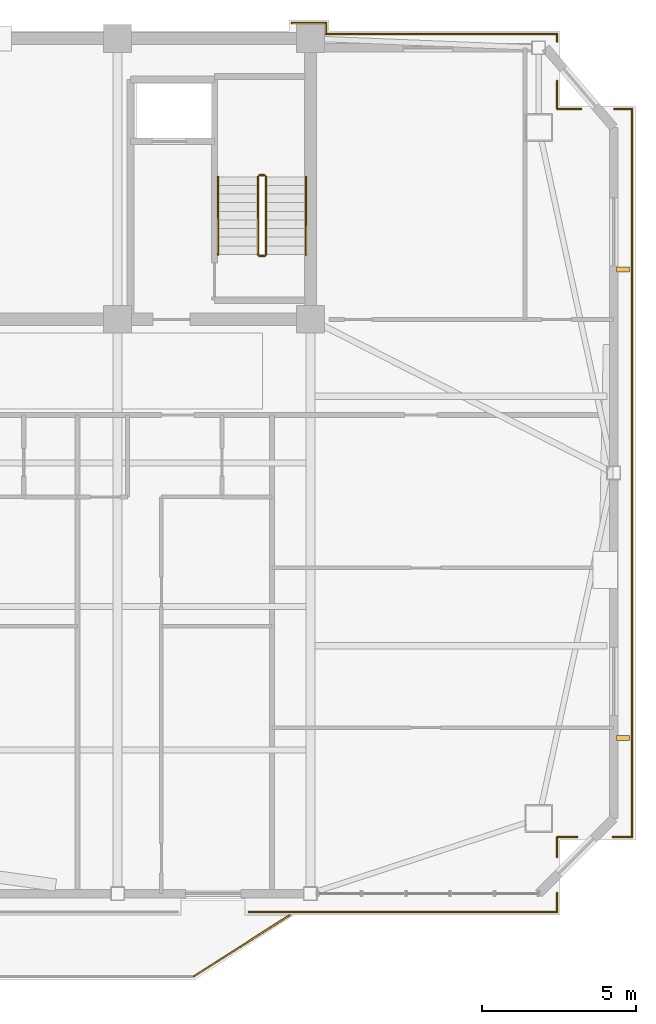
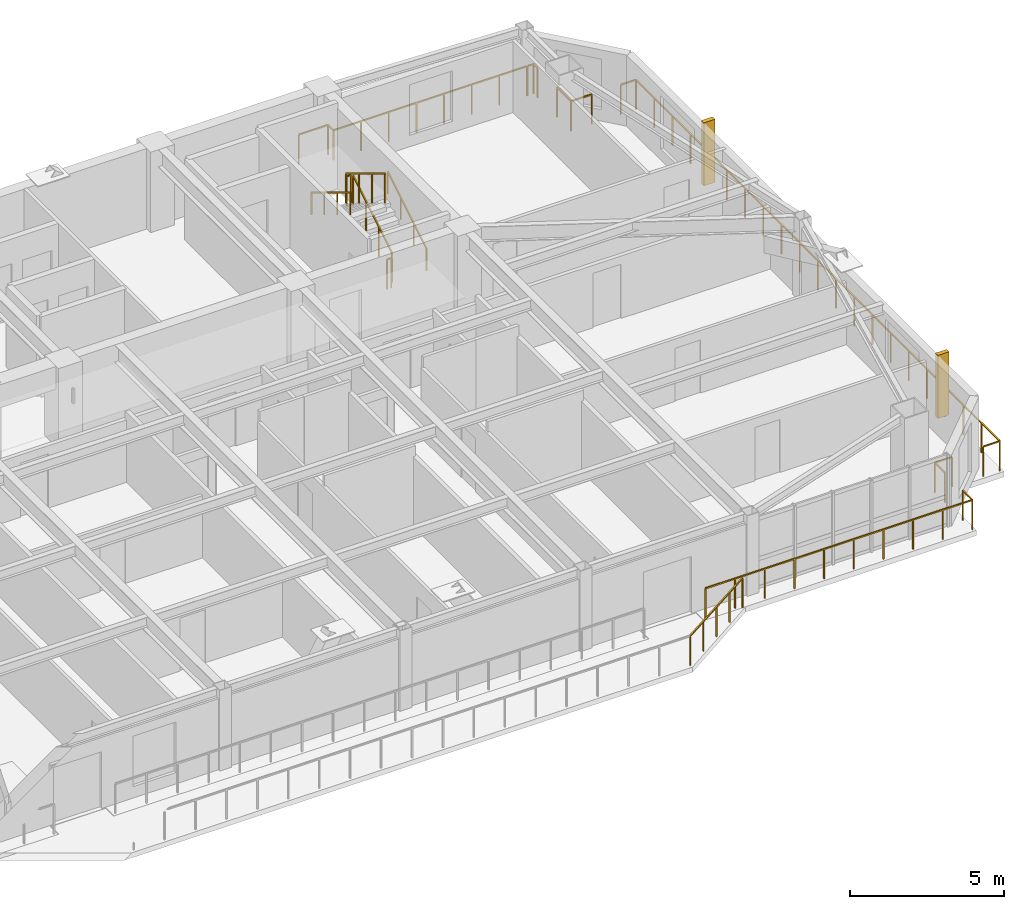
# One storey, part 15 of 15: 21 railings, 2 shading devices.
"""IFC4 building model written with IfcOpenShell, lengths in metres."""

import ifcopenshell
import ifcopenshell.guid

model = None  # the IFC model being written
_history = None  # IfcOwnerHistory: only IFC2X3 demands one
_inside = {}  # id of a spatial element -> (the spatial element, [elements in it])
_under = {}  # id of a project, library or spatial element -> (it, [spatial elements below it])
_declared = {}  # id of a project -> (the project, [libraries it declares])
_typed = {}  # id of a type object -> (the type object, [elements of that type])
_made_of = {}  # id of a material, layer set ... -> (it, [elements and type objects made of it])


def new_model(schema):
    """Start an empty IFC model of exactly this schema.

    Asked for "IFC4X3", IfcOpenShell would pick the latest addendum, in which some entities
    have other attributes; the version numbers below select the first issue.
    IFC2X3 requires an IfcOwnerHistory on every rooted entity: one is made here for all.
    """
    global model, _history
    if schema == "IFC4X3":
        model = ifcopenshell.file(schema_version=(4, 3, 0, 0))
    else:
        model = ifcopenshell.file(schema=schema)
    _inside.clear()
    _under.clear()
    _declared.clear()
    _typed.clear()
    _made_of.clear()
    _history = None
    if model.schema == "IFC2X3":
        org = make("IfcOrganization", Name="unknown")
        user = make(
            "IfcPersonAndOrganization",
            ThePerson=make("IfcPerson", FamilyName="unknown"),
            TheOrganization=org,
        )
        app = make(
            "IfcApplication",
            ApplicationDeveloper=org,
            Version="unknown",
            ApplicationFullName="unknown",
            ApplicationIdentifier="unknown",
        )
        _history = make(
            "IfcOwnerHistory",
            OwningUser=user,
            OwningApplication=app,
            ChangeAction="ADDED",
            CreationDate=0,
        )
    return model


def make(cls, **values):
    """One entity of the class cls with the attributes given. An attribute that is None is left unset."""
    return model.create_entity(
        cls, **{name: value for name, value in values.items() if value is not None}
    )


def rooted(cls, **values):
    """An entity with a GlobalId (a new one), such as an element, a storey or a relation."""
    return make(cls, GlobalId=ifcopenshell.guid.new(), OwnerHistory=_history, **values)


def si_unit(unit_type, name, prefix=None):
    """IfcSIUnit, for example si_unit("LENGTHUNIT", "METRE", prefix="MILLI")."""
    return make("IfcSIUnit", UnitType=unit_type, Prefix=prefix, Name=name)


def assignment(units):
    """IfcUnitAssignment: the units of a project."""
    return None if units is None else make("IfcUnitAssignment", Units=units)


def point(xyz):
    """IfcCartesianPoint."""
    return None if xyz is None else make("IfcCartesianPoint", Coordinates=xyz)


def direction(xyz):
    """IfcDirection."""
    return None if xyz is None else make("IfcDirection", DirectionRatios=xyz)


def frame(location, z_axis=None, x_axis=None):
    """IfcAxis2Placement3D, a coordinate frame: its origin and axes. An axis left out is left unset."""
    return make(
        "IfcAxis2Placement3D",
        Location=point(location),
        Axis=direction(z_axis),
        RefDirection=direction(x_axis),
    )


def frame_2d(location, x_axis=None):
    """IfcAxis2Placement2D, a coordinate frame in the plane: its origin and x axis."""
    return make(
        "IfcAxis2Placement2D", Location=point(location), RefDirection=direction(x_axis)
    )


def origin():
    """The frame at (0, 0, 0) with its axes left unset."""
    return frame((0.0, 0.0, 0.0))


def origin_2d():
    """The frame at (0, 0) in the plane with its x axis left unset."""
    return frame_2d((0.0, 0.0))


def place(relative_to, where):
    """IfcLocalPlacement: puts the frame where relative to a parent placement (None: the world)."""
    return make(
        "IfcLocalPlacement", PlacementRelTo=relative_to, RelativePlacement=where
    )


def context(
    kind, dimensions, precision=None, world=None, true_north=None, identifier=None
):
    """IfcGeometricRepresentationContext, for example the 3D "Model" context."""
    return make(
        "IfcGeometricRepresentationContext",
        ContextIdentifier=identifier,
        ContextType=kind,
        CoordinateSpaceDimension=dimensions,
        Precision=precision,
        WorldCoordinateSystem=world,
        TrueNorth=true_north,
    )


def subcontext(parent, identifier, kind, view, scale=None):
    """IfcGeometricRepresentationSubContext, for example "Body" below "Model"."""
    return make(
        "IfcGeometricRepresentationSubContext",
        ContextIdentifier=identifier,
        ContextType=kind,
        ParentContext=parent,
        TargetScale=scale,
        TargetView=view,
    )


def project(units=None, contexts=None):
    """IfcProject with its units and contexts."""
    return rooted(
        "IfcProject",
        Name="project",
        RepresentationContexts=contexts,
        UnitsInContext=assignment(units),
    )


def spatial(cls, under=None, at=None, **own):
    """A site, building, storey or space (cls), placed at a placement, below another one or the project."""
    s = rooted(cls, ObjectPlacement=at, **own)
    if under is not None:
        _under.setdefault(under.id(), (under, []))[1].append(s)
    return s


def profile(cls, at=None, kind="AREA", **sizes):
    """A parametric profile (cls). Its sizes go by their IFC names, for example OverallWidth=200.0."""
    return make(cls, ProfileType=kind, Position=at, **sizes)


def rectangle(**sizes):
    """IfcRectangleProfileDef."""
    return profile("IfcRectangleProfileDef", **sizes)


def extrude(swept, where, along, depth):
    """IfcExtrudedAreaSolid: the profile swept, set in the frame where, extruded along a direction by depth."""
    return make(
        "IfcExtrudedAreaSolid",
        SweptArea=swept,
        Position=where,
        ExtrudedDirection=direction(along),
        Depth=depth,
    )


def shape(context_of_items, identifier, shape_type, items):
    """IfcShapeRepresentation: the items that make up one representation, for example the "Body"."""
    return make(
        "IfcShapeRepresentation",
        ContextOfItems=context_of_items,
        RepresentationIdentifier=identifier,
        RepresentationType=shape_type,
        Items=items,
    )


def source(mapping_origin, context_of_items, identifier, shape_type, items):
    """IfcRepresentationMap: a shape defined once, which mapped items show again and again."""
    return make(
        "IfcRepresentationMap",
        MappingOrigin=mapping_origin,
        MappedRepresentation=shape(context_of_items, identifier, shape_type, items),
    )


def transform(
    local_origin,
    x_axis=None,
    y_axis=None,
    z_axis=None,
    scale=None,
    scale2=None,
    scale3=None,
    uniform=True,
):
    """IfcCartesianTransformationOperator3D, or its non-uniform kind. x_axis, y_axis, z_axis: its Axis1, 2, 3."""
    if uniform:
        return make(
            "IfcCartesianTransformationOperator3D",
            Axis1=direction(x_axis),
            Axis2=direction(y_axis),
            LocalOrigin=point(local_origin),
            Scale=scale,
            Axis3=direction(z_axis),
        )
    return make(
        "IfcCartesianTransformationOperator3DnonUniform",
        Axis1=direction(x_axis),
        Axis2=direction(y_axis),
        LocalOrigin=point(local_origin),
        Scale=scale,
        Axis3=direction(z_axis),
        Scale2=scale2,
        Scale3=scale3,
    )


def mapped(mapping_source, mapping_target):
    """IfcMappedItem: shows the shape of a source again, moved by a transform."""
    return make(
        "IfcMappedItem", MappingSource=mapping_source, MappingTarget=mapping_target
    )


def material(Name=None, Category=None):
    """IfcMaterial."""
    return make("IfcMaterial", Name=Name, Category=Category)


def made_of(thing, what):
    """Note that an element or type object is made of a material, layer set ...; save() writes the relation."""
    if what is not None:
        _made_of.setdefault(what.id(), (what, []))[1].append(thing)
    return thing


def type_object(cls, material=None, **own):
    """A type object (cls), such as IfcWallType, which elements share."""
    return made_of(rooted(cls, **own), material)


def element(
    cls,
    number,
    at=None,
    inside=None,
    cuts=None,
    type_object=None,
    material=None,
    context=None,
    identifier="Body",
    shape_type=None,
    held_by="IfcProductDefinitionShape",
    body=None,
    shapes=None,
    **own,
):
    """One element of the class cls, such as IfcWall. Its Tag is "e" and its number.

    at: its placement. inside: the storey or other place that contains it. cuts: it is an
    opening in that element (IfcRelVoidsElement). A single representation is given by context,
    identifier, shape_type and body (its items); several are given by shapes. held_by: the class
    of the entity that holds the representations. save() writes the other relations.
    """
    e = rooted(cls, Tag="e%d" % number, ObjectPlacement=at, **own)
    if body is not None:
        shapes = [shape(context, identifier, shape_type, body)]
    if shapes is not None:
        e.Representation = make(held_by, Representations=shapes)
    if inside is not None:
        _inside.setdefault(inside.id(), (inside, []))[1].append(e)
    if cuts is not None:
        rooted(
            "IfcRelVoidsElement", RelatingBuildingElement=cuts, RelatedOpeningElement=e
        )
    if type_object is not None:
        _typed.setdefault(type_object.id(), (type_object, []))[1].append(e)
    return made_of(e, material)


def aggregate(whole, parts):
    """IfcRelAggregates: a whole, such as a stair, and the parts it consists of."""
    return rooted("IfcRelAggregates", RelatingObject=whole, RelatedObjects=parts)


def save(model, path):
    """Write the relations noted so far, then the file.

    IfcRelAggregates (storeys below a building ...), IfcRelContainedInSpatialStructure (elements
    in a storey), IfcRelDefinesByType, IfcRelAssociatesMaterial and IfcRelDeclares: one each for
    every whole, place, type object, material and project.
    """
    for whole, parts in _under.values():
        aggregate(whole, parts)
    for where, things in _inside.values():
        rooted(
            "IfcRelContainedInSpatialStructure",
            RelatedElements=things,
            RelatingStructure=where,
        )
    for kind, things in _typed.values():
        rooted("IfcRelDefinesByType", RelatedObjects=things, RelatingType=kind)
    for what, things in _made_of.values():
        rooted("IfcRelAssociatesMaterial", RelatedObjects=things, RelatingMaterial=what)
    for by, libraries in _declared.values():
        rooted("IfcRelDeclares", RelatingContext=by, RelatedDefinitions=libraries)
    model.write(path)


model = new_model("IFC4")

# Units and contexts
model_context = context("Model", 3, precision=1e-05, world=origin(), true_north=direction((0.0, 1.0)))
body_context = subcontext(model_context, "Body", "Model", "MODEL_VIEW")
ifc_project = project(units=[si_unit("LENGTHUNIT", "METRE"), si_unit("AREAUNIT", "SQUARE_METRE"), si_unit("VOLUMEUNIT", "CUBIC_METRE"), si_unit("PLANEANGLEUNIT", "RADIAN"), si_unit("MASSUNIT", "GRAM", prefix="KILO")], contexts=[model_context])

# Site, building, storey
site_placement = place(None, origin())
site = spatial("IfcSite", under=ifc_project, at=site_placement, CompositionType="ELEMENT")
building_placement = place(site_placement, origin())
building = spatial("IfcBuilding", under=site, at=building_placement, Name="Giltprow Tower", CompositionType="ELEMENT")
storey_placement = place(building_placement, frame((0.0, 0.0, 297.199951171875)))
storey = spatial("IfcBuildingStorey", under=building, at=storey_placement, Name="L76", CompositionType="ELEMENT", Elevation=297.199951171875)

# Railings
ifc_material = material(Name="Anodized bronze", Category="metal")
railing_type_1 = type_object("IfcRailingType", Name="RAIL-BALC-GUARD-1200", PredefinedType="BALUSTRADE", material=ifc_material)
railing_1_placement = place(storey_placement, frame((46.780029296875, 16.160888671875, 0.0)))
element("IfcRailing", 1, at=railing_1_placement, inside=storey, type_object=railing_type_1, Name="L76 Waterfront Balcony Balustrade Seg 3", PredefinedType="BALUSTRADE", context=body_context, shape_type="SweptSolid", body=[
    extrude(rectangle(XDim=0.048095703125, YDim=0.048095703125, at=origin_2d()), frame((0.0, 0.0, 1.17578125), z_axis=(0.842725534991, 0.538343452336, 0.0), x_axis=(-0.538343452336, 0.842725534991, 0.0)), (0.0, 0.0, 1.0), 3.678466796875),
    extrude(rectangle(XDim=0.0419921875, YDim=0.0419921875, at=origin_2d()), origin(), (0.0, 0.0, 1.0), 1.15185546875),
    extrude(rectangle(XDim=0.0419921875, YDim=0.0419921875, at=origin_2d()), frame((0.77490234375, 0.4951171875, 0.0)), (0.0, 0.0, 1.0), 1.15185546875),
    extrude(rectangle(XDim=0.0419921875, YDim=0.0419921875, at=origin_2d()), frame((1.5498046875, 0.990234375, 0.0)), (0.0, 0.0, 1.0), 1.15185546875),
    extrude(rectangle(XDim=0.0419921875, YDim=0.0419921875, at=origin_2d()), frame((2.324951171875, 1.485107421875, 0.0)), (0.0, 0.0, 1.0), 1.15185546875),
    extrude(rectangle(XDim=0.0419921875, YDim=0.0419921875, at=origin_2d()), frame((3.099853515625, 1.980224609375, 0.0)), (0.0, 0.0, 1.0), 1.15185546875),
])
railing_2_placement = place(storey_placement, frame((60.97607421875, 44.27001953125, 0.0)))
element("IfcRailing", 2, at=railing_2_placement, inside=storey, type_object=railing_type_1, Name="L76 Corner Apron Edge Balustrade 1", PredefinedType="BALUSTRADE", context=body_context, shape_type="SweptSolid", body=[
    extrude(rectangle(XDim=0.048095703125, YDim=0.048095703125, at=origin_2d()), frame((0.0, 0.0, 1.17578125), z_axis=(0.0, -1.0, 0.0), x_axis=(1.0, 0.0, 0.0)), (0.0, 0.0, 1.0), 23.597900390625),
    extrude(rectangle(XDim=0.0419921875, YDim=0.0419921875, at=origin_2d()), origin(), (0.0, 0.0, 1.0), 1.15185546875),
    extrude(rectangle(XDim=0.0419921875, YDim=0.0419921875, at=origin_2d()), frame((0.0, -1.179931640625, 0.0)), (0.0, 0.0, 1.0), 1.15185546875),
    extrude(rectangle(XDim=0.0419921875, YDim=0.0419921875, at=origin_2d()), frame((0.0, -2.35986328125, 0.0)), (0.0, 0.0, 1.0), 1.15185546875),
    extrude(rectangle(XDim=0.0419921875, YDim=0.0419921875, at=origin_2d()), frame((0.0, -3.539794921875, 0.0)), (0.0, 0.0, 1.0), 1.15185546875),
    extrude(rectangle(XDim=0.0419921875, YDim=0.0419921875, at=origin_2d()), frame((0.0, -4.719482421875, 0.0)), (0.0, 0.0, 1.0), 1.15185546875),
    extrude(rectangle(XDim=0.0419921875, YDim=0.0419921875, at=origin_2d()), frame((0.0, -5.8994140625, 0.0)), (0.0, 0.0, 1.0), 1.15185546875),
    extrude(rectangle(XDim=0.0419921875, YDim=0.0419921875, at=origin_2d()), frame((0.0, -7.079345703125, 0.0)), (0.0, 0.0, 1.0), 1.15185546875),
    extrude(rectangle(XDim=0.0419921875, YDim=0.0419921875, at=origin_2d()), frame((0.0, -8.25927734375, 0.0)), (0.0, 0.0, 1.0), 1.15185546875),
    extrude(rectangle(XDim=0.0419921875, YDim=0.0419921875, at=origin_2d()), frame((0.0, -9.439208984375, 0.0)), (0.0, 0.0, 1.0), 1.15185546875),
    extrude(rectangle(XDim=0.0419921875, YDim=0.0419921875, at=origin_2d()), frame((0.0, -10.619140625, 0.0)), (0.0, 0.0, 1.0), 1.15185546875),
    extrude(rectangle(XDim=0.0419921875, YDim=0.0419921875, at=origin_2d()), frame((0.0, -11.798828125, 0.0)), (0.0, 0.0, 1.0), 1.15185546875),
    extrude(rectangle(XDim=0.0419921875, YDim=0.0419921875, at=origin_2d()), frame((0.0, -12.978759765625, 0.0)), (0.0, 0.0, 1.0), 1.15185546875),
    extrude(rectangle(XDim=0.0419921875, YDim=0.0419921875, at=origin_2d()), frame((0.0, -14.15869140625, 0.0)), (0.0, 0.0, 1.0), 1.15185546875),
    extrude(rectangle(XDim=0.0419921875, YDim=0.0419921875, at=origin_2d()), frame((0.0, -15.338623046875, 0.0)), (0.0, 0.0, 1.0), 1.15185546875),
    extrude(rectangle(XDim=0.0419921875, YDim=0.0419921875, at=origin_2d()), frame((0.0, -16.5185546875, 0.0)), (0.0, 0.0, 1.0), 1.15185546875),
    extrude(rectangle(XDim=0.0419921875, YDim=0.0419921875, at=origin_2d()), frame((0.0, -17.698486328125, 0.0)), (0.0, 0.0, 1.0), 1.15185546875),
    extrude(rectangle(XDim=0.0419921875, YDim=0.0419921875, at=origin_2d()), frame((0.0, -18.87841796875, 0.0)), (0.0, 0.0, 1.0), 1.15185546875),
    extrude(rectangle(XDim=0.0419921875, YDim=0.0419921875, at=origin_2d()), frame((0.0, -20.05810546875, 0.0)), (0.0, 0.0, 1.0), 1.15185546875),
    extrude(rectangle(XDim=0.0419921875, YDim=0.0419921875, at=origin_2d()), frame((0.0, -21.238037109375, 0.0)), (0.0, 0.0, 1.0), 1.15185546875),
    extrude(rectangle(XDim=0.0419921875, YDim=0.0419921875, at=origin_2d()), frame((0.0, -22.41796875, 0.0)), (0.0, 0.0, 1.0), 1.15185546875),
    extrude(rectangle(XDim=0.0419921875, YDim=0.0419921875, at=origin_2d()), frame((0.0, -23.597900390625, 0.0)), (0.0, 0.0, 1.0), 1.15185546875),
])
railing_3_placement = place(storey_placement, frame((60.97607421875, 20.672119140625, 0.0)))
element("IfcRailing", 3, at=railing_3_placement, inside=storey, type_object=railing_type_1, Name="L76 Corner Apron Edge Balustrade 2", PredefinedType="BALUSTRADE", context=body_context, shape_type="SweptSolid", body=[
    extrude(rectangle(XDim=0.048095703125, YDim=0.048095703125, at=origin_2d()), frame((0.0, 0.0, 1.17578125), z_axis=(-1.0, 0.0, 0.0), x_axis=(0.0, -1.0, 0.0)), (0.0, 0.0, 1.0), 0.6201171875),
    extrude(rectangle(XDim=0.0419921875, YDim=0.0419921875, at=origin_2d()), origin(), (0.0, 0.0, 1.0), 1.15185546875),
    extrude(rectangle(XDim=0.0419921875, YDim=0.0419921875, at=origin_2d()), frame((-0.6201171875, 0.0, 0.0)), (0.0, 0.0, 1.0), 1.15185546875),
])
railing_4_placement = place(storey_placement, frame((59.196044921875, 20.672119140625, 0.0)))
element("IfcRailing", 4, at=railing_4_placement, inside=storey, type_object=railing_type_1, Name="L76 Corner Apron Edge Balustrade 3", PredefinedType="BALUSTRADE", context=body_context, shape_type="SweptSolid", body=[
    extrude(rectangle(XDim=0.048095703125, YDim=0.048095703125, at=origin_2d()), frame((0.0, 0.0, 1.17578125), z_axis=(-1.0, 0.0, 0.0), x_axis=(0.0, -1.0, 0.0)), (0.0, 0.0, 1.0), 0.651123046875),
    extrude(rectangle(XDim=0.0419921875, YDim=0.0419921875, at=origin_2d()), origin(), (0.0, 0.0, 1.0), 1.15185546875),
    extrude(rectangle(XDim=0.0419921875, YDim=0.0419921875, at=origin_2d()), frame((-0.651123046875, 0.0, 0.0)), (0.0, 0.0, 1.0), 1.15185546875),
])
railing_5_placement = place(storey_placement, frame((58.544921875, 20.672119140625, 0.0)))
element("IfcRailing", 5, at=railing_5_placement, inside=storey, type_object=railing_type_1, Name="L76 Corner Apron Edge Balustrade 4", PredefinedType="BALUSTRADE", context=body_context, shape_type="SweptSolid", body=[
    extrude(rectangle(XDim=0.048095703125, YDim=0.048095703125, at=origin_2d()), frame((0.0, 0.0, 1.17578125), z_axis=(0.0, -1.0, 0.0), x_axis=(1.0, 0.0, 0.0)), (0.0, 0.0, 1.0), 0.651123046875),
    extrude(rectangle(XDim=0.0419921875, YDim=0.0419921875, at=origin_2d()), origin(), (0.0, 0.0, 1.0), 1.15185546875),
    extrude(rectangle(XDim=0.0419921875, YDim=0.0419921875, at=origin_2d()), frame((0.0, -0.651123046875, 0.0)), (0.0, 0.0, 1.0), 1.15185546875),
])
railing_6_placement = place(storey_placement, frame((58.544921875, 18.861083984375, 0.0)))
element("IfcRailing", 6, at=railing_6_placement, inside=storey, type_object=railing_type_1, Name="L76 Corner Apron Edge Balustrade 5", PredefinedType="BALUSTRADE", context=body_context, shape_type="SweptSolid", body=[
    extrude(rectangle(XDim=0.048095703125, YDim=0.048095703125, at=origin_2d()), frame((0.0, 0.0, 1.17578125), z_axis=(0.0, -1.0, 0.0), x_axis=(1.0, 0.0, 0.0)), (0.0, 0.0, 1.0), 0.6201171875),
    extrude(rectangle(XDim=0.0419921875, YDim=0.0419921875, at=origin_2d()), origin(), (0.0, 0.0, 1.0), 1.15185546875),
    extrude(rectangle(XDim=0.0419921875, YDim=0.0419921875, at=origin_2d()), frame((0.0, -0.6201171875, 0.0)), (0.0, 0.0, 1.0), 1.15185546875),
])
railing_7_placement = place(storey_placement, frame((58.544921875, 18.240966796875, 0.0)))
element("IfcRailing", 7, at=railing_7_placement, inside=storey, type_object=railing_type_1, Name="L76 Corner Apron Edge Balustrade 6", PredefinedType="BALUSTRADE", context=body_context, shape_type="SweptSolid", body=[
    extrude(rectangle(XDim=0.048095703125, YDim=0.048095703125, at=origin_2d()), frame((0.0, 0.0, 1.17578125), z_axis=(-1.0, 0.0, 0.0), x_axis=(0.0, -1.0, 0.0)), (0.0, 0.0, 1.0), 9.994873046875),
    extrude(rectangle(XDim=0.0419921875, YDim=0.0419921875, at=origin_2d()), origin(), (0.0, 0.0, 1.0), 1.15185546875),
    extrude(rectangle(XDim=0.0419921875, YDim=0.0419921875, at=origin_2d()), frame((-1.110595703125, 0.0, 0.0)), (0.0, 0.0, 1.0), 1.15185546875),
    extrude(rectangle(XDim=0.0419921875, YDim=0.0419921875, at=origin_2d()), frame((-2.22119140625, 0.0, 0.0)), (0.0, 0.0, 1.0), 1.15185546875),
    extrude(rectangle(XDim=0.0419921875, YDim=0.0419921875, at=origin_2d()), frame((-3.33154296875, 0.0, 0.0)), (0.0, 0.0, 1.0), 1.15185546875),
    extrude(rectangle(XDim=0.0419921875, YDim=0.0419921875, at=origin_2d()), frame((-4.442138671875, 0.0, 0.0)), (0.0, 0.0, 1.0), 1.15185546875),
    extrude(rectangle(XDim=0.0419921875, YDim=0.0419921875, at=origin_2d()), frame((-5.552734375, 0.0, 0.0)), (0.0, 0.0, 1.0), 1.15185546875),
    extrude(rectangle(XDim=0.0419921875, YDim=0.0419921875, at=origin_2d()), frame((-6.663330078125, 0.0, 0.0)), (0.0, 0.0, 1.0), 1.15185546875),
    extrude(rectangle(XDim=0.0419921875, YDim=0.0419921875, at=origin_2d()), frame((-7.773681640625, 0.0, 0.0)), (0.0, 0.0, 1.0), 1.15185546875),
    extrude(rectangle(XDim=0.0419921875, YDim=0.0419921875, at=origin_2d()), frame((-8.88427734375, 0.0, 0.0)), (0.0, 0.0, 1.0), 1.15185546875),
    extrude(rectangle(XDim=0.0419921875, YDim=0.0419921875, at=origin_2d()), frame((-9.994873046875, 0.0, 0.0)), (0.0, 0.0, 1.0), 1.15185546875),
])
railing_8_placement = place(storey_placement, frame((49.949951171875, 47.050048828125, 0.0)))
element("IfcRailing", 8, at=railing_8_placement, inside=storey, type_object=railing_type_1, Name="L76 Corner Apron Edge Balustrade 22", PredefinedType="BALUSTRADE", context=body_context, shape_type="SweptSolid", body=[
    extrude(rectangle(XDim=0.048095703125, YDim=0.048095703125, at=origin_2d()), frame((0.0, 0.0, 1.17578125), z_axis=(1.0, 0.0, 0.0), x_axis=(0.0, 1.0, 0.0)), (0.0, 0.0, 1.0), 1.10009765625),
    extrude(rectangle(XDim=0.0419921875, YDim=0.0419921875, at=origin_2d()), origin(), (0.0, 0.0, 1.0), 1.15185546875),
    extrude(rectangle(XDim=0.0419921875, YDim=0.0419921875, at=origin_2d()), frame((1.10009765625, 0.0, 0.0)), (0.0, 0.0, 1.0), 1.15185546875),
])
railing_9_placement = place(storey_placement, frame((51.050048828125, 47.050048828125, 0.0)))
element("IfcRailing", 9, at=railing_9_placement, inside=storey, type_object=railing_type_1, Name="L76 Corner Apron Edge Balustrade 23", PredefinedType="BALUSTRADE", context=body_context, shape_type="SweptSolid", body=[
    extrude(rectangle(XDim=0.048095703125, YDim=0.048095703125, at=origin_2d()), frame((0.0, 0.0, 1.17578125), z_axis=(0.0, -1.0, 0.0), x_axis=(1.0, 0.0, 0.0)), (0.0, 0.0, 1.0), 0.35009765625),
    extrude(rectangle(XDim=0.0419921875, YDim=0.0419921875, at=origin_2d()), origin(), (0.0, 0.0, 1.0), 1.15185546875),
    extrude(rectangle(XDim=0.0419921875, YDim=0.0419921875, at=origin_2d()), frame((0.0, -0.35009765625, 0.0)), (0.0, 0.0, 1.0), 1.15185546875),
])
railing_10_placement = place(storey_placement, frame((51.050048828125, 46.699951171875, 0.0)))
element("IfcRailing", 10, at=railing_10_placement, inside=storey, type_object=railing_type_1, Name="L76 Corner Apron Edge Balustrade 24", PredefinedType="BALUSTRADE", context=body_context, shape_type="SweptSolid", body=[
    extrude(rectangle(XDim=0.048095703125, YDim=0.048095703125, at=origin_2d()), frame((0.0, 0.0, 1.17578125), z_axis=(1.0, 0.0, 0.0), x_axis=(0.0, 1.0, 0.0)), (0.0, 0.0, 1.0), 7.245849609375),
    extrude(rectangle(XDim=0.0419921875, YDim=0.0419921875, at=origin_2d()), origin(), (0.0, 0.0, 1.0), 1.15185546875),
    extrude(rectangle(XDim=0.0419921875, YDim=0.0419921875, at=origin_2d()), frame((1.03515625, 0.0, 0.0)), (0.0, 0.0, 1.0), 1.15185546875),
    extrude(rectangle(XDim=0.0419921875, YDim=0.0419921875, at=origin_2d()), frame((2.0703125, 0.0, 0.0)), (0.0, 0.0, 1.0), 1.15185546875),
    extrude(rectangle(XDim=0.0419921875, YDim=0.0419921875, at=origin_2d()), frame((3.10546875, 0.0, 0.0)), (0.0, 0.0, 1.0), 1.15185546875),
    extrude(rectangle(XDim=0.0419921875, YDim=0.0419921875, at=origin_2d()), frame((4.140380859375, 0.0, 0.0)), (0.0, 0.0, 1.0), 1.15185546875),
    extrude(rectangle(XDim=0.0419921875, YDim=0.0419921875, at=origin_2d()), frame((5.175537109375, 0.0, 0.0)), (0.0, 0.0, 1.0), 1.15185546875),
    extrude(rectangle(XDim=0.0419921875, YDim=0.0419921875, at=origin_2d()), frame((6.210693359375, 0.0, 0.0)), (0.0, 0.0, 1.0), 1.15185546875),
    extrude(rectangle(XDim=0.0419921875, YDim=0.0419921875, at=origin_2d()), frame((7.245849609375, 0.0, 0.0)), (0.0, 0.0, 1.0), 1.15185546875),
])
railing_11_placement = place(storey_placement, frame((58.324951171875, 46.699951171875, 0.0)))
element("IfcRailing", 11, at=railing_11_placement, inside=storey, type_object=railing_type_1, Name="L76 Corner Apron Edge Balustrade 25", PredefinedType="BALUSTRADE", context=body_context, shape_type="SweptSolid", body=[
    extrude(rectangle(XDim=0.048095703125, YDim=0.048095703125, at=origin_2d()), frame((0.0, 0.0, 1.17578125), z_axis=(1.0, 0.0, 0.0), x_axis=(0.0, 1.0, 0.0)), (0.0, 0.0, 1.0), 0.219970703125),
    extrude(rectangle(XDim=0.0419921875, YDim=0.0419921875, at=origin_2d()), origin(), (0.0, 0.0, 1.0), 1.15185546875),
    extrude(rectangle(XDim=0.0419921875, YDim=0.0419921875, at=origin_2d()), frame((0.219970703125, 0.0, 0.0)), (0.0, 0.0, 1.0), 1.15185546875),
])
railing_12_placement = place(storey_placement, frame((58.544921875, 46.699951171875, 0.0)))
element("IfcRailing", 12, at=railing_12_placement, inside=storey, type_object=railing_type_1, Name="L76 Corner Apron Edge Balustrade 26", PredefinedType="BALUSTRADE", context=body_context, shape_type="SweptSolid", body=[
    extrude(rectangle(XDim=0.048095703125, YDim=0.048095703125, at=origin_2d()), frame((0.0, 0.0, 1.17578125), z_axis=(0.0, -1.0, 0.0), x_axis=(1.0, 0.0, 0.0)), (0.0, 0.0, 1.0), 0.258056640625),
    extrude(rectangle(XDim=0.0419921875, YDim=0.0419921875, at=origin_2d()), origin(), (0.0, 0.0, 1.0), 1.15185546875),
    extrude(rectangle(XDim=0.0419921875, YDim=0.0419921875, at=origin_2d()), frame((0.0, -0.258056640625, 0.0)), (0.0, 0.0, 1.0), 1.15185546875),
])
railing_13_placement = place(storey_placement, frame((58.544921875, 45.179931640625, 0.0)))
element("IfcRailing", 13, at=railing_13_placement, inside=storey, type_object=railing_type_1, Name="L76 Corner Apron Edge Balustrade 27", PredefinedType="BALUSTRADE", context=body_context, shape_type="SweptSolid", body=[
    extrude(rectangle(XDim=0.048095703125, YDim=0.048095703125, at=origin_2d()), frame((0.0, 0.0, 1.17578125), z_axis=(0.0, -1.0, 0.0), x_axis=(1.0, 0.0, 0.0)), (0.0, 0.0, 1.0), 0.909912109375),
    extrude(rectangle(XDim=0.0419921875, YDim=0.0419921875, at=origin_2d()), origin(), (0.0, 0.0, 1.0), 1.15185546875),
    extrude(rectangle(XDim=0.0419921875, YDim=0.0419921875, at=origin_2d()), frame((0.0, -0.909912109375, 0.0)), (0.0, 0.0, 1.0), 1.15185546875),
])
railing_14_placement = place(storey_placement, frame((58.544921875, 44.27001953125, 0.0)))
element("IfcRailing", 14, at=railing_14_placement, inside=storey, type_object=railing_type_1, Name="L76 Corner Apron Edge Balustrade 28", PredefinedType="BALUSTRADE", context=body_context, shape_type="SweptSolid", body=[
    extrude(rectangle(XDim=0.048095703125, YDim=0.048095703125, at=origin_2d()), frame((0.0, 0.0, 1.17578125), z_axis=(1.0, 0.0, 0.0), x_axis=(0.0, 1.0, 0.0)), (0.0, 0.0, 1.0), 0.778076171875),
    extrude(rectangle(XDim=0.0419921875, YDim=0.0419921875, at=origin_2d()), origin(), (0.0, 0.0, 1.0), 1.15185546875),
    extrude(rectangle(XDim=0.0419921875, YDim=0.0419921875, at=origin_2d()), frame((0.778076171875, 0.0, 0.0)), (0.0, 0.0, 1.0), 1.15185546875),
])
railing_15_placement = place(storey_placement, frame((60.402099609375, 44.27001953125, 0.0)))
element("IfcRailing", 15, at=railing_15_placement, inside=storey, type_object=railing_type_1, Name="L76 Corner Apron Edge Balustrade 29", PredefinedType="BALUSTRADE", context=body_context, shape_type="SweptSolid", body=[
    extrude(rectangle(XDim=0.048095703125, YDim=0.048095703125, at=origin_2d()), frame((0.0, 0.0, 1.17578125), z_axis=(1.0, 0.0, 0.0), x_axis=(0.0, 1.0, 0.0)), (0.0, 0.0, 1.0), 0.573974609375),
    extrude(rectangle(XDim=0.0419921875, YDim=0.0419921875, at=origin_2d()), origin(), (0.0, 0.0, 1.0), 1.15185546875),
    extrude(rectangle(XDim=0.0419921875, YDim=0.0419921875, at=origin_2d()), frame((0.573974609375, 0.0, 0.0)), (0.0, 0.0, 1.0), 1.15185546875),
])
railing_type_2 = type_object("IfcRailingType", Name="RAIL-STAIR-GUARD-1200", PredefinedType="GUARDRAIL", material=ifc_material)
railing_16_placement = place(storey_placement, frame((49.110107421875, 39.550048828125, 0.170166015625)))
element("IfcRailing", 16, at=railing_16_placement, inside=storey, type_object=railing_type_2, Name="L76 ST-3 stair guard 1", PredefinedType="GUARDRAIL", context=body_context, shape_type="SweptSolid", body=[
    extrude(rectangle(XDim=0.048095703125, YDim=0.048095703125, at=origin_2d()), frame((0.0, 0.0, 1.17578125), z_axis=(0.0, 0.854821627497, 0.518921945155), x_axis=(-1.0, 0.0, 0.0)), (0.0, 0.0, 1.0), 2.947998046875),
    extrude(rectangle(XDim=0.0419921875, YDim=0.0419921875, at=origin_2d()), origin(), (0.0, 0.0, 1.0), 1.15185546875),
    extrude(rectangle(XDim=0.0419921875, YDim=0.0419921875, at=origin_2d()), frame((0.0, 0.840087890625, 0.510009765625)), (0.0, 0.0, 1.0), 1.15185546875),
    extrude(rectangle(XDim=0.0419921875, YDim=0.0419921875, at=origin_2d()), frame((0.0, 1.679931640625, 1.019775390625)), (0.0, 0.0, 1.0), 1.15185546875),
    extrude(rectangle(XDim=0.0419921875, YDim=0.0419921875, at=origin_2d()), frame((0.0, 2.52001953125, 1.52978515625)), (0.0, 0.0, 1.0), 1.15185546875),
])
railing_17_placement = place(storey_placement, frame((49.06005859375, 42.1201171875, 1.699951171875)))
element("IfcRailing", 17, at=railing_17_placement, inside=storey, type_object=railing_type_2, Name="L76 ST-3 stair guard 2", PredefinedType="GUARDRAIL", context=body_context, shape_type="SweptSolid", body=[
    extrude(rectangle(XDim=0.048095703125, YDim=0.048095703125, at=origin_2d()), frame((0.0, 0.0, 1.17578125), z_axis=(-1.0, 0.0, 0.0), x_axis=(0.0, -1.0, 0.0)), (0.0, 0.0, 1.0), 0.16015625),
    extrude(rectangle(XDim=0.0419921875, YDim=0.0419921875, at=origin_2d()), origin(), (0.0, 0.0, 1.0), 1.15185546875),
    extrude(rectangle(XDim=0.0419921875, YDim=0.0419921875, at=origin_2d()), frame((-0.16015625, 0.0, 0.0)), (0.0, 0.0, 1.0), 1.15185546875),
])
railing_18_placement = place(storey_placement, frame((48.85009765625, 42.070068359375, 1.8701171875)))
element("IfcRailing", 18, at=railing_18_placement, inside=storey, type_object=railing_type_2, Name="L76 ST-3 stair guard 3", PredefinedType="GUARDRAIL", context=body_context, shape_type="SweptSolid", body=[
    extrude(rectangle(XDim=0.048095703125, YDim=0.048095703125, at=origin_2d()), frame((0.0, 0.0, 1.17578125), z_axis=(0.0, -0.85478489116, 0.518982456201), x_axis=(1.0, 0.0, 0.0)), (0.0, 0.0, 1.0), 2.9482421875),
    extrude(rectangle(XDim=0.0419921875, YDim=0.0419921875, at=origin_2d()), origin(), (0.0, 0.0, 1.0), 1.15185546875),
    extrude(rectangle(XDim=0.0419921875, YDim=0.0419921875, at=origin_2d()), frame((0.0, -0.840087890625, 0.510009765625)), (0.0, 0.0, 1.0), 1.15185546875),
    extrude(rectangle(XDim=0.0419921875, YDim=0.0419921875, at=origin_2d()), frame((0.0, -1.679931640625, 1.02001953125)), (0.0, 0.0, 1.0), 1.15185546875),
    extrude(rectangle(XDim=0.0419921875, YDim=0.0419921875, at=origin_2d()), frame((0.0, -2.52001953125, 1.530029296875)), (0.0, 0.0, 1.0), 1.15185546875),
])
railing_19_placement = place(storey_placement, frame((49.06005859375, 39.5, 0.0)))
element("IfcRailing", 19, at=railing_19_placement, inside=storey, type_object=railing_type_2, Name="L76 ST-3 stair guard 4", PredefinedType="GUARDRAIL", context=body_context, shape_type="SweptSolid", body=[
    extrude(rectangle(XDim=0.048095703125, YDim=0.048095703125, at=origin_2d()), frame((0.0, 0.0, 1.17578125), z_axis=(-1.0, 0.0, 0.0), x_axis=(0.0, -1.0, 0.0)), (0.0, 0.0, 1.0), 0.16015625),
    extrude(rectangle(XDim=0.0419921875, YDim=0.0419921875, at=origin_2d()), origin(), (0.0, 0.0, 1.0), 1.15185546875),
    extrude(rectangle(XDim=0.0419921875, YDim=0.0419921875, at=origin_2d()), frame((-0.16015625, 0.0, 0.0)), (0.0, 0.0, 1.0), 1.15185546875),
])
railing_type_3 = type_object("IfcRailingType", Name="RAIL-STAIR-HAND-900", PredefinedType="HANDRAIL", material=ifc_material)
railing_20_placement = place(storey_placement, frame((50.409912109375, 39.550048828125, 0.170166015625)))
element("IfcRailing", 20, at=railing_20_placement, inside=storey, type_object=railing_type_3, Name="L76 ST-3 stair handrail 1", PredefinedType="HANDRAIL", context=body_context, shape_type="SweptSolid", body=[
    extrude(rectangle(XDim=0.048095703125, YDim=0.048095703125, at=origin_2d()), frame((0.0, 0.0, 0.8759765625), z_axis=(0.0, 0.854821627497, 0.518921945155), x_axis=(-1.0, 0.0, 0.0)), (0.0, 0.0, 1.0), 2.947998046875),
    extrude(rectangle(XDim=0.0419921875, YDim=0.0419921875, at=origin_2d()), origin(), (0.0, 0.0, 1.0), 0.851806640625),
    extrude(rectangle(XDim=0.0419921875, YDim=0.0419921875, at=origin_2d()), frame((0.0, 0.840087890625, 0.510009765625)), (0.0, 0.0, 1.0), 0.851806640625),
    extrude(rectangle(XDim=0.0419921875, YDim=0.0419921875, at=origin_2d()), frame((0.0, 1.679931640625, 1.019775390625)), (0.0, 0.0, 1.0), 0.851806640625),
    extrude(rectangle(XDim=0.0419921875, YDim=0.0419921875, at=origin_2d()), frame((0.0, 2.52001953125, 1.52978515625)), (0.0, 0.0, 1.0), 0.851806640625),
])
railing_21_placement = place(storey_placement, frame((47.550048828125, 42.070068359375, 1.8701171875)))
element("IfcRailing", 21, at=railing_21_placement, inside=storey, type_object=railing_type_3, Name="L76 ST-3 stair handrail 2", PredefinedType="HANDRAIL", context=body_context, shape_type="SweptSolid", body=[
    extrude(rectangle(XDim=0.048095703125, YDim=0.048095703125, at=origin_2d()), frame((0.0, 0.0, 0.8759765625), z_axis=(0.0, -0.85478489116, 0.518982456201), x_axis=(1.0, 0.0, 0.0)), (0.0, 0.0, 1.0), 2.9482421875),
    extrude(rectangle(XDim=0.0419921875, YDim=0.0419921875, at=origin_2d()), origin(), (0.0, 0.0, 1.0), 0.851806640625),
    extrude(rectangle(XDim=0.0419921875, YDim=0.0419921875, at=origin_2d()), frame((0.0, -0.840087890625, 0.510009765625)), (0.0, 0.0, 1.0), 0.851806640625),
    extrude(rectangle(XDim=0.0419921875, YDim=0.0419921875, at=origin_2d()), frame((0.0, -1.679931640625, 1.02001953125)), (0.0, 0.0, 1.0), 0.851806640625),
    extrude(rectangle(XDim=0.0419921875, YDim=0.0419921875, at=origin_2d()), frame((0.0, -2.52001953125, 1.530029296875)), (0.0, 0.0, 1.0), 0.851806640625),
])

# Shading devices
shading_device_type = type_object("IfcShadingDeviceType", Name="SHD-FIN-420", PredefinedType="USERDEFINED", material=ifc_material)
shared_shape = source(origin(), body_context, "Body", "SweptSolid", [
    extrude(rectangle(XDim=0.419921875, YDim=0.159912109375, at=origin_2d()), origin(), (0.0, 0.0, 1.0), 2.5),
])
for number, where, z_axis, x_axis, name in (
    (22, (60.676025390625, 23.8798828125, 0.35009765625), (0.0, 0.0, 1.0), (1.0, 0.0, 0.0), "L76 E Bronze Vertical Fin 1-1"),
    (23, (60.676025390625, 39.06396484375, 0.35009765625), (0.0, 0.0, 1.0), (1.0, 0.0, 0.0), "L76 E Bronze Vertical Fin 2-1"),
):
    element("IfcShadingDevice", number, at=place(storey_placement, frame(where, z_axis=z_axis, x_axis=x_axis)), inside=storey, type_object=shading_device_type, Name=name, ObjectType="FIN", PredefinedType="USERDEFINED", context=body_context, shape_type="MappedRepresentation", body=[
        mapped(shared_shape, transform((0.0, 0.0, 0.0), x_axis=(1.0, 0.0, 0.0), y_axis=(0.0, 1.0, 0.0), z_axis=(0.0, 0.0, 1.0), scale=1.0)),
    ])

save(model, "model.ifc")
